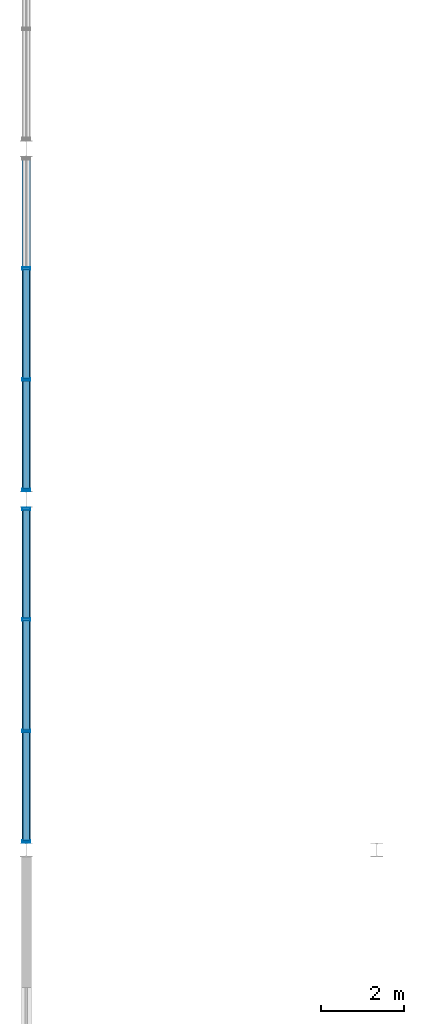
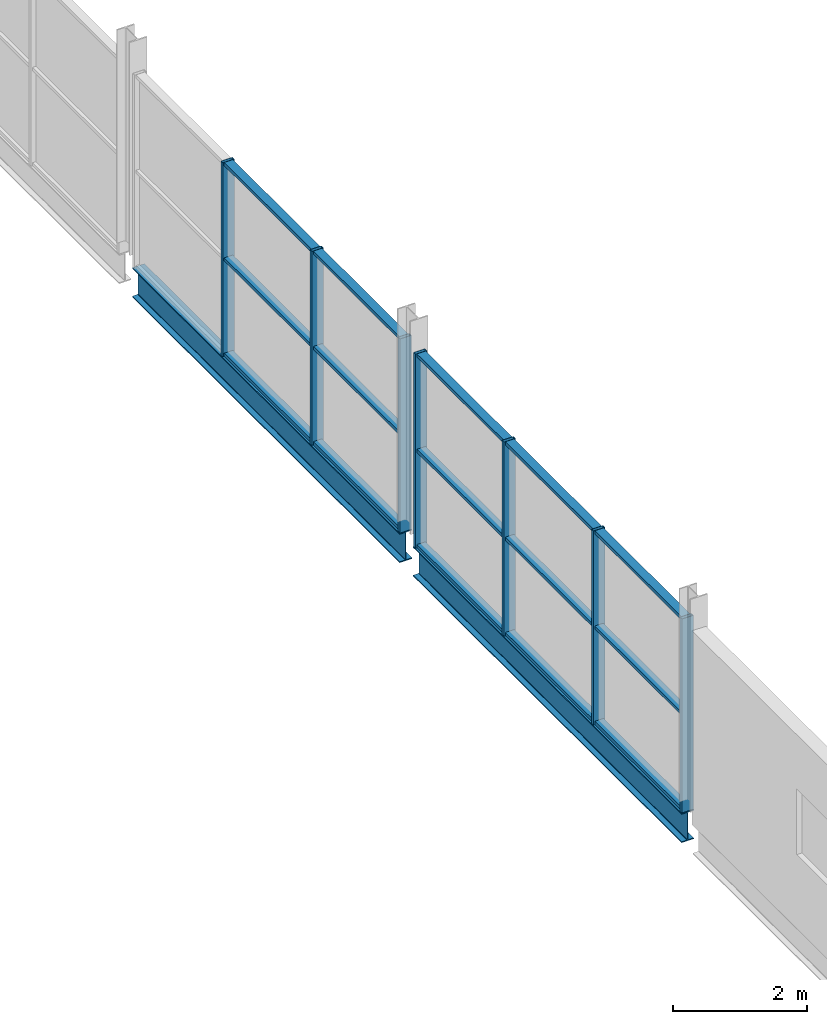
# One storey, part 10 of 43: 22 members, 2 beams, 2 elements without a shape of their own.
"""IFC4 building model written with IfcOpenShell, lengths in metres."""

import ifcopenshell
import ifcopenshell.guid

model = None  # the IFC model being written
_history = None  # IfcOwnerHistory: only IFC2X3 demands one
_inside = {}  # id of a spatial element -> (the spatial element, [elements in it])
_under = {}  # id of a project, library or spatial element -> (it, [spatial elements below it])
_declared = {}  # id of a project -> (the project, [libraries it declares])
_typed = {}  # id of a type object -> (the type object, [elements of that type])
_made_of = {}  # id of a material, layer set ... -> (it, [elements and type objects made of it])


def new_model(schema):
    """Start an empty IFC model of exactly this schema.

    Asked for "IFC4X3", IfcOpenShell would pick the latest addendum, in which some entities
    have other attributes; the version numbers below select the first issue.
    IFC2X3 requires an IfcOwnerHistory on every rooted entity: one is made here for all.
    """
    global model, _history
    if schema == "IFC4X3":
        model = ifcopenshell.file(schema_version=(4, 3, 0, 0))
    else:
        model = ifcopenshell.file(schema=schema)
    _inside.clear()
    _under.clear()
    _declared.clear()
    _typed.clear()
    _made_of.clear()
    _history = None
    if model.schema == "IFC2X3":
        org = make("IfcOrganization", Name="unknown")
        user = make(
            "IfcPersonAndOrganization",
            ThePerson=make("IfcPerson", FamilyName="unknown"),
            TheOrganization=org,
        )
        app = make(
            "IfcApplication",
            ApplicationDeveloper=org,
            Version="unknown",
            ApplicationFullName="unknown",
            ApplicationIdentifier="unknown",
        )
        _history = make(
            "IfcOwnerHistory",
            OwningUser=user,
            OwningApplication=app,
            ChangeAction="ADDED",
            CreationDate=0,
        )
    return model


def make(cls, **values):
    """One entity of the class cls with the attributes given. An attribute that is None is left unset."""
    return model.create_entity(
        cls, **{name: value for name, value in values.items() if value is not None}
    )


def rooted(cls, **values):
    """An entity with a GlobalId (a new one), such as an element, a storey or a relation."""
    return make(cls, GlobalId=ifcopenshell.guid.new(), OwnerHistory=_history, **values)


def si_unit(unit_type, name, prefix=None):
    """IfcSIUnit, for example si_unit("LENGTHUNIT", "METRE", prefix="MILLI")."""
    return make("IfcSIUnit", UnitType=unit_type, Prefix=prefix, Name=name)


def assignment(units):
    """IfcUnitAssignment: the units of a project."""
    return None if units is None else make("IfcUnitAssignment", Units=units)


def point(xyz):
    """IfcCartesianPoint."""
    return None if xyz is None else make("IfcCartesianPoint", Coordinates=xyz)


def direction(xyz):
    """IfcDirection."""
    return None if xyz is None else make("IfcDirection", DirectionRatios=xyz)


def frame(location, z_axis=None, x_axis=None):
    """IfcAxis2Placement3D, a coordinate frame: its origin and axes. An axis left out is left unset."""
    return make(
        "IfcAxis2Placement3D",
        Location=point(location),
        Axis=direction(z_axis),
        RefDirection=direction(x_axis),
    )


def frame_2d(location, x_axis=None):
    """IfcAxis2Placement2D, a coordinate frame in the plane: its origin and x axis."""
    return make(
        "IfcAxis2Placement2D", Location=point(location), RefDirection=direction(x_axis)
    )


def origin():
    """The frame at (0, 0, 0) with its axes left unset."""
    return frame((0.0, 0.0, 0.0))


def origin_2d():
    """The frame at (0, 0) in the plane with its x axis left unset."""
    return frame_2d((0.0, 0.0))


def place(relative_to, where):
    """IfcLocalPlacement: puts the frame where relative to a parent placement (None: the world)."""
    return make(
        "IfcLocalPlacement", PlacementRelTo=relative_to, RelativePlacement=where
    )


def context(
    kind, dimensions, precision=None, world=None, true_north=None, identifier=None
):
    """IfcGeometricRepresentationContext, for example the 3D "Model" context."""
    return make(
        "IfcGeometricRepresentationContext",
        ContextIdentifier=identifier,
        ContextType=kind,
        CoordinateSpaceDimension=dimensions,
        Precision=precision,
        WorldCoordinateSystem=world,
        TrueNorth=true_north,
    )


def subcontext(parent, identifier, kind, view, scale=None):
    """IfcGeometricRepresentationSubContext, for example "Body" below "Model"."""
    return make(
        "IfcGeometricRepresentationSubContext",
        ContextIdentifier=identifier,
        ContextType=kind,
        ParentContext=parent,
        TargetScale=scale,
        TargetView=view,
    )


def project(units=None, contexts=None):
    """IfcProject with its units and contexts."""
    return rooted(
        "IfcProject",
        Name="project",
        RepresentationContexts=contexts,
        UnitsInContext=assignment(units),
    )


def spatial(cls, under=None, at=None, **own):
    """A site, building, storey or space (cls), placed at a placement, below another one or the project."""
    s = rooted(cls, ObjectPlacement=at, **own)
    if under is not None:
        _under.setdefault(under.id(), (under, []))[1].append(s)
    return s


def profile(cls, at=None, kind="AREA", **sizes):
    """A parametric profile (cls). Its sizes go by their IFC names, for example OverallWidth=200.0."""
    return make(cls, ProfileType=kind, Position=at, **sizes)


def hollow_rectangle(**sizes):
    """IfcRectangleHollowProfileDef."""
    return profile("IfcRectangleHollowProfileDef", **sizes)


def i_section(**sizes):
    """IfcIShapeProfileDef."""
    return profile("IfcIShapeProfileDef", **sizes)


def extrude(swept, where, along, depth):
    """IfcExtrudedAreaSolid: the profile swept, set in the frame where, extruded along a direction by depth."""
    return make(
        "IfcExtrudedAreaSolid",
        SweptArea=swept,
        Position=where,
        ExtrudedDirection=direction(along),
        Depth=depth,
    )


def shape(context_of_items, identifier, shape_type, items):
    """IfcShapeRepresentation: the items that make up one representation, for example the "Body"."""
    return make(
        "IfcShapeRepresentation",
        ContextOfItems=context_of_items,
        RepresentationIdentifier=identifier,
        RepresentationType=shape_type,
        Items=items,
    )


def material(Name=None, Category=None):
    """IfcMaterial."""
    return make("IfcMaterial", Name=Name, Category=Category)


def material_profile(
    of_material, cross_section, Name=None, Category=None, Priority=None
):
    """IfcMaterialProfile: a cross section and its material."""
    return make(
        "IfcMaterialProfile",
        Name=Name,
        Material=of_material,
        Profile=cross_section,
        Priority=Priority,
        Category=Category,
    )


def profile_set(profiles, Name=None, composite=None):
    """IfcMaterialProfileSet."""
    return make(
        "IfcMaterialProfileSet",
        Name=Name,
        MaterialProfiles=profiles,
        CompositeProfile=composite,
    )


def made_of(thing, what):
    """Note that an element or type object is made of a material, layer set ...; save() writes the relation."""
    if what is not None:
        _made_of.setdefault(what.id(), (what, []))[1].append(thing)
    return thing


def type_object(cls, material=None, **own):
    """A type object (cls), such as IfcWallType, which elements share."""
    return made_of(rooted(cls, **own), material)


def element(
    cls,
    number,
    at=None,
    inside=None,
    cuts=None,
    type_object=None,
    material=None,
    context=None,
    identifier="Body",
    shape_type=None,
    held_by="IfcProductDefinitionShape",
    body=None,
    shapes=None,
    **own,
):
    """One element of the class cls, such as IfcWall. Its Tag is "e" and its number.

    at: its placement. inside: the storey or other place that contains it. cuts: it is an
    opening in that element (IfcRelVoidsElement). A single representation is given by context,
    identifier, shape_type and body (its items); several are given by shapes. held_by: the class
    of the entity that holds the representations. save() writes the other relations.
    """
    e = rooted(cls, Tag="e%d" % number, ObjectPlacement=at, **own)
    if body is not None:
        shapes = [shape(context, identifier, shape_type, body)]
    if shapes is not None:
        e.Representation = make(held_by, Representations=shapes)
    if inside is not None:
        _inside.setdefault(inside.id(), (inside, []))[1].append(e)
    if cuts is not None:
        rooted(
            "IfcRelVoidsElement", RelatingBuildingElement=cuts, RelatedOpeningElement=e
        )
    if type_object is not None:
        _typed.setdefault(type_object.id(), (type_object, []))[1].append(e)
    return made_of(e, material)


def aggregate(whole, parts):
    """IfcRelAggregates: a whole, such as a stair, and the parts it consists of."""
    return rooted("IfcRelAggregates", RelatingObject=whole, RelatedObjects=parts)


def save(model, path):
    """Write the relations noted so far, then the file.

    IfcRelAggregates (storeys below a building ...), IfcRelContainedInSpatialStructure (elements
    in a storey), IfcRelDefinesByType, IfcRelAssociatesMaterial and IfcRelDeclares: one each for
    every whole, place, type object, material and project.
    """
    for whole, parts in _under.values():
        aggregate(whole, parts)
    for where, things in _inside.values():
        rooted(
            "IfcRelContainedInSpatialStructure",
            RelatedElements=things,
            RelatingStructure=where,
        )
    for kind, things in _typed.values():
        rooted("IfcRelDefinesByType", RelatedObjects=things, RelatingType=kind)
    for what, things in _made_of.values():
        rooted("IfcRelAssociatesMaterial", RelatedObjects=things, RelatingMaterial=what)
    for by, libraries in _declared.values():
        rooted("IfcRelDeclares", RelatingContext=by, RelatedDefinitions=libraries)
    model.write(path)


model = new_model("IFC4")

# Units and contexts
model_context = context("Model", 3, precision=1e-05, world=origin(), true_north=direction((0.0, 1.0)))
body_context = subcontext(model_context, "Body", "Model", "MODEL_VIEW")
ifc_project = project(units=[si_unit("LENGTHUNIT", "METRE"), si_unit("AREAUNIT", "SQUARE_METRE"), si_unit("VOLUMEUNIT", "CUBIC_METRE"), si_unit("PLANEANGLEUNIT", "RADIAN"), si_unit("MASSUNIT", "GRAM", prefix="KILO"), si_unit("THERMODYNAMICTEMPERATUREUNIT", "KELVIN")], contexts=[model_context])

# Site, building, storey
site_placement = place(None, origin())
site = spatial("IfcSite", under=ifc_project, at=site_placement, CompositionType="ELEMENT")
building_placement = place(site_placement, origin())
building = spatial("IfcBuilding", under=site, at=building_placement, Name="Nduvali Passage Aquatics Centre", CompositionType="ELEMENT")
storey_placement = place(building_placement, frame((0.0, 0.0, 17.39990234375)))
storey = spatial("IfcBuildingStorey", under=building, at=storey_placement, Name="L04", CompositionType="ELEMENT", Elevation=17.39990234375)

# Curtain wall, members
ifc_material_1 = material(Name="Aluminium EN AW-6063 T6", Category="aluminium")
curtain_wall_type = type_object("IfcCurtainWallType", Name="ENV-CW-DIVE", PredefinedType="NOTDEFINED", material=ifc_material_1)
curtain_wall_1_placement = place(storey_placement, origin())
curtain_wall_1 = element("IfcCurtainWall", 1, at=curtain_wall_1_placement, inside=storey, type_object=curtain_wall_type, Name="L04 West Diving Upper Roof Clerestory CW 131", PredefinedType="NOTDEFINED")
ifc_material_profile_1 = material_profile(ifc_material_1, hollow_rectangle(XDim=0.06005859375, YDim=0.199951171875, WallThickness=0.00390625, at=origin_2d()), Name="ALU MULLION 60x200x4")
ifc_profile_set_1 = profile_set([ifc_material_profile_1], Name="Aluminium EN AW-6063 T6")
member_type_1 = type_object("IfcMemberType", Name="ENV-MEM-MUL80", PredefinedType="MULLION", material=ifc_profile_set_1)
member_1_placement = place(storey_placement, frame((0.0, 42.199951171875, -0.22998046875), z_axis=(0.0, 0.0, 1.0), x_axis=(0.0, 1.0, 0.0)))
member_1 = element("IfcMember", 2, at=member_1_placement, type_object=member_type_1, Name="West Diving Upper Roof Clerestory CW Mullion 1", PredefinedType="MULLION", context=body_context, shape_type="SweptSolid", body=[
    extrude(hollow_rectangle(XDim=0.06005859375, YDim=0.199951171875, WallThickness=0.00390625, at=origin_2d()), origin(), (0.0, 0.0, 1.0), 3.5400390625),
])
member_2_placement = place(storey_placement, frame((0.0, 44.8466796875, -0.22998046875), z_axis=(0.0, 0.0, 1.0), x_axis=(0.0, 1.0, 0.0)))
member_2 = element("IfcMember", 3, at=member_2_placement, type_object=member_type_1, Name="West Diving Upper Roof Clerestory CW Mullion 2", PredefinedType="MULLION", context=body_context, shape_type="SweptSolid", body=[
    extrude(hollow_rectangle(XDim=0.06005859375, YDim=0.199951171875, WallThickness=0.00390625, at=origin_2d()), origin(), (0.0, 0.0, 1.0), 3.5400390625),
])
member_3_placement = place(storey_placement, frame((0.0, 47.523193359375, -0.22998046875), z_axis=(0.0, 0.0, 1.0), x_axis=(0.0, 1.0, 0.0)))
member_3 = element("IfcMember", 4, at=member_3_placement, type_object=member_type_1, Name="West Diving Upper Roof Clerestory CW Mullion 3", PredefinedType="MULLION", context=body_context, shape_type="SweptSolid", body=[
    extrude(hollow_rectangle(XDim=0.06005859375, YDim=0.199951171875, WallThickness=0.00390625, at=origin_2d()), origin(), (0.0, 0.0, 1.0), 3.5400390625),
])
member_4_placement = place(storey_placement, frame((0.0, 50.169921875, -0.22998046875), z_axis=(0.0, 0.0, 1.0), x_axis=(0.0, 1.0, 0.0)))
member_4 = element("IfcMember", 5, at=member_4_placement, type_object=member_type_1, Name="West Diving Upper Roof Clerestory CW Mullion 4", PredefinedType="MULLION", context=body_context, shape_type="SweptSolid", body=[
    extrude(hollow_rectangle(XDim=0.06005859375, YDim=0.199951171875, WallThickness=0.00390625, at=origin_2d()), origin(), (0.0, 0.0, 1.0), 3.5400390625),
])

curtain_wall_2_placement = place(storey_placement, origin())
curtain_wall_2 = element("IfcCurtainWall", 6, at=curtain_wall_2_placement, inside=storey, type_object=curtain_wall_type, Name="L04 West Diving Upper Roof Clerestory CW 136", PredefinedType="NOTDEFINED")
member_5_placement = place(storey_placement, frame((0.0, 50.6298828125, -0.22998046875), z_axis=(0.0, 0.0, 1.0), x_axis=(0.0, 1.0, 0.0)))
member_5 = element("IfcMember", 7, at=member_5_placement, type_object=member_type_1, Name="West Diving Upper Roof Clerestory CW Mullion 1", PredefinedType="MULLION", context=body_context, shape_type="SweptSolid", body=[
    extrude(hollow_rectangle(XDim=0.06005859375, YDim=0.199951171875, WallThickness=0.00390625, at=origin_2d()), origin(), (0.0, 0.0, 1.0), 3.5400390625),
])
member_6_placement = place(storey_placement, frame((0.0, 53.2666015625, -0.22998046875), z_axis=(0.0, 0.0, 1.0), x_axis=(0.0, 1.0, 0.0)))
member_6 = element("IfcMember", 8, at=member_6_placement, type_object=member_type_1, Name="West Diving Upper Roof Clerestory CW Mullion 2", PredefinedType="MULLION", context=body_context, shape_type="SweptSolid", body=[
    extrude(hollow_rectangle(XDim=0.06005859375, YDim=0.199951171875, WallThickness=0.00390625, at=origin_2d()), origin(), (0.0, 0.0, 1.0), 3.5400390625),
])
member_7_placement = place(storey_placement, frame((0.0, 55.933349609375, -0.22998046875), z_axis=(0.0, 0.0, 1.0), x_axis=(0.0, 1.0, 0.0)))
member_7 = element("IfcMember", 9, at=member_7_placement, type_object=member_type_1, Name="West Diving Upper Roof Clerestory CW Mullion 3", PredefinedType="MULLION", context=body_context, shape_type="SweptSolid", body=[
    extrude(hollow_rectangle(XDim=0.06005859375, YDim=0.199951171875, WallThickness=0.00390625, at=origin_2d()), origin(), (0.0, 0.0, 1.0), 3.5400390625),
])

# Member
ifc_material_profile_2 = material_profile(ifc_material_1, hollow_rectangle(XDim=0.14990234375, YDim=0.06005859375, WallThickness=0.00390625, at=origin_2d()), Name="ALU TRANSOM 150x60x4")
ifc_profile_set_2 = profile_set([ifc_material_profile_2], Name="Aluminium EN AW-6063 T6")
member_type_2 = type_object("IfcMemberType", Name="ENV-MEM-TRN80", PredefinedType="USERDEFINED", material=ifc_profile_set_2)
member_8_placement = place(storey_placement, frame((0.0, 42.22998046875, -0.199951171875), z_axis=(0.0, 1.0, 0.0), x_axis=(-1.0, 0.0, 0.0)))
member_8 = element("IfcMember", 10, at=member_8_placement, type_object=member_type_2, Name="West Diving Upper Roof Clerestory CW Transom B1-R0", ObjectType="TRANSOM", PredefinedType="USERDEFINED", context=body_context, shape_type="SweptSolid", body=[
    extrude(hollow_rectangle(XDim=0.14990234375, YDim=0.06005859375, WallThickness=0.00390625, at=origin_2d()), origin(), (0.0, 0.0, 1.0), 2.586669921875),
])

member_9_placement = place(storey_placement, frame((0.0, 42.22998046875, 1.5400390625), z_axis=(0.0, 1.0, 0.0), x_axis=(-1.0, 0.0, 0.0)))
member_9 = element("IfcMember", 11, at=member_9_placement, type_object=member_type_2, Name="West Diving Upper Roof Clerestory CW Transom B1-R1", ObjectType="TRANSOM", PredefinedType="USERDEFINED", context=body_context, shape_type="SweptSolid", body=[
    extrude(hollow_rectangle(XDim=0.14990234375, YDim=0.06005859375, WallThickness=0.00390625, at=origin_2d()), origin(), (0.0, 0.0, 1.0), 2.586669921875),
])

member_10_placement = place(storey_placement, frame((0.0, 42.22998046875, 3.280029296875), z_axis=(0.0, 1.0, 0.0), x_axis=(-1.0, 0.0, 0.0)))
member_10 = element("IfcMember", 12, at=member_10_placement, type_object=member_type_2, Name="West Diving Upper Roof Clerestory CW Transom B1-R2", ObjectType="TRANSOM", PredefinedType="USERDEFINED", context=body_context, shape_type="SweptSolid", body=[
    extrude(hollow_rectangle(XDim=0.14990234375, YDim=0.06005859375, WallThickness=0.00390625, at=origin_2d()), origin(), (0.0, 0.0, 1.0), 2.586669921875),
])

member_11_placement = place(storey_placement, frame((0.0, 44.876708984375, -0.199951171875), z_axis=(0.0, 1.0, 0.0), x_axis=(-1.0, 0.0, 0.0)))
member_11 = element("IfcMember", 13, at=member_11_placement, type_object=member_type_2, Name="West Diving Upper Roof Clerestory CW Transom B2-R0", ObjectType="TRANSOM", PredefinedType="USERDEFINED", context=body_context, shape_type="SweptSolid", body=[
    extrude(hollow_rectangle(XDim=0.14990234375, YDim=0.06005859375, WallThickness=0.00390625, at=origin_2d()), origin(), (0.0, 0.0, 1.0), 2.61669921875),
])

member_12_placement = place(storey_placement, frame((0.0, 44.876708984375, 1.5400390625), z_axis=(0.0, 1.0, 0.0), x_axis=(-1.0, 0.0, 0.0)))
member_12 = element("IfcMember", 14, at=member_12_placement, type_object=member_type_2, Name="West Diving Upper Roof Clerestory CW Transom B2-R1", ObjectType="TRANSOM", PredefinedType="USERDEFINED", context=body_context, shape_type="SweptSolid", body=[
    extrude(hollow_rectangle(XDim=0.14990234375, YDim=0.06005859375, WallThickness=0.00390625, at=origin_2d()), origin(), (0.0, 0.0, 1.0), 2.61669921875),
])

member_13_placement = place(storey_placement, frame((0.0, 44.876708984375, 3.280029296875), z_axis=(0.0, 1.0, 0.0), x_axis=(-1.0, 0.0, 0.0)))
member_13 = element("IfcMember", 15, at=member_13_placement, type_object=member_type_2, Name="West Diving Upper Roof Clerestory CW Transom B2-R2", ObjectType="TRANSOM", PredefinedType="USERDEFINED", context=body_context, shape_type="SweptSolid", body=[
    extrude(hollow_rectangle(XDim=0.14990234375, YDim=0.06005859375, WallThickness=0.00390625, at=origin_2d()), origin(), (0.0, 0.0, 1.0), 2.61669921875),
])

member_14_placement = place(storey_placement, frame((0.0, 47.55322265625, -0.199951171875), z_axis=(0.0, 1.0, 0.0), x_axis=(-1.0, 0.0, 0.0)))
member_14 = element("IfcMember", 16, at=member_14_placement, type_object=member_type_2, Name="West Diving Upper Roof Clerestory CW Transom B3-R0", ObjectType="TRANSOM", PredefinedType="USERDEFINED", context=body_context, shape_type="SweptSolid", body=[
    extrude(hollow_rectangle(XDim=0.14990234375, YDim=0.06005859375, WallThickness=0.00390625, at=origin_2d()), origin(), (0.0, 0.0, 1.0), 2.586669921875),
])

member_15_placement = place(storey_placement, frame((0.0, 47.55322265625, 1.5400390625), z_axis=(0.0, 1.0, 0.0), x_axis=(-1.0, 0.0, 0.0)))
member_15 = element("IfcMember", 17, at=member_15_placement, type_object=member_type_2, Name="West Diving Upper Roof Clerestory CW Transom B3-R1", ObjectType="TRANSOM", PredefinedType="USERDEFINED", context=body_context, shape_type="SweptSolid", body=[
    extrude(hollow_rectangle(XDim=0.14990234375, YDim=0.06005859375, WallThickness=0.00390625, at=origin_2d()), origin(), (0.0, 0.0, 1.0), 2.586669921875),
])

member_16_placement = place(storey_placement, frame((0.0, 47.55322265625, 3.280029296875), z_axis=(0.0, 1.0, 0.0), x_axis=(-1.0, 0.0, 0.0)))
member_16 = element("IfcMember", 18, at=member_16_placement, type_object=member_type_2, Name="West Diving Upper Roof Clerestory CW Transom B3-R2", ObjectType="TRANSOM", PredefinedType="USERDEFINED", context=body_context, shape_type="SweptSolid", body=[
    extrude(hollow_rectangle(XDim=0.14990234375, YDim=0.06005859375, WallThickness=0.00390625, at=origin_2d()), origin(), (0.0, 0.0, 1.0), 2.586669921875),
])

aggregate(curtain_wall_1, [member_1, member_2, member_3, member_4, member_8, member_9, member_10, member_11, member_12, member_13, member_14, member_15, member_16])

member_17_placement = place(storey_placement, frame((0.0, 50.659912109375, -0.199951171875), z_axis=(0.0, 1.0, 0.0), x_axis=(-1.0, 0.0, 0.0)))
member_17 = element("IfcMember", 19, at=member_17_placement, type_object=member_type_2, Name="West Diving Upper Roof Clerestory CW Transom B1-R0", ObjectType="TRANSOM", PredefinedType="USERDEFINED", context=body_context, shape_type="SweptSolid", body=[
    extrude(hollow_rectangle(XDim=0.14990234375, YDim=0.06005859375, WallThickness=0.00390625, at=origin_2d()), origin(), (0.0, 0.0, 1.0), 2.576904296875),
])

member_18_placement = place(storey_placement, frame((0.0, 50.659912109375, 1.5400390625), z_axis=(0.0, 1.0, 0.0), x_axis=(-1.0, 0.0, 0.0)))
member_18 = element("IfcMember", 20, at=member_18_placement, type_object=member_type_2, Name="West Diving Upper Roof Clerestory CW Transom B1-R1", ObjectType="TRANSOM", PredefinedType="USERDEFINED", context=body_context, shape_type="SweptSolid", body=[
    extrude(hollow_rectangle(XDim=0.14990234375, YDim=0.06005859375, WallThickness=0.00390625, at=origin_2d()), origin(), (0.0, 0.0, 1.0), 2.576904296875),
])

member_19_placement = place(storey_placement, frame((0.0, 50.659912109375, 3.280029296875), z_axis=(0.0, 1.0, 0.0), x_axis=(-1.0, 0.0, 0.0)))
member_19 = element("IfcMember", 21, at=member_19_placement, type_object=member_type_2, Name="West Diving Upper Roof Clerestory CW Transom B1-R2", ObjectType="TRANSOM", PredefinedType="USERDEFINED", context=body_context, shape_type="SweptSolid", body=[
    extrude(hollow_rectangle(XDim=0.14990234375, YDim=0.06005859375, WallThickness=0.00390625, at=origin_2d()), origin(), (0.0, 0.0, 1.0), 2.576904296875),
])

member_20_placement = place(storey_placement, frame((0.0, 53.296630859375, -0.199951171875), z_axis=(0.0, 1.0, 0.0), x_axis=(-1.0, 0.0, 0.0)))
member_20 = element("IfcMember", 22, at=member_20_placement, type_object=member_type_2, Name="West Diving Upper Roof Clerestory CW Transom B2-R0", ObjectType="TRANSOM", PredefinedType="USERDEFINED", context=body_context, shape_type="SweptSolid", body=[
    extrude(hollow_rectangle(XDim=0.14990234375, YDim=0.06005859375, WallThickness=0.00390625, at=origin_2d()), origin(), (0.0, 0.0, 1.0), 2.606689453125),
])

member_21_placement = place(storey_placement, frame((0.0, 53.296630859375, 1.5400390625), z_axis=(0.0, 1.0, 0.0), x_axis=(-1.0, 0.0, 0.0)))
member_21 = element("IfcMember", 23, at=member_21_placement, type_object=member_type_2, Name="West Diving Upper Roof Clerestory CW Transom B2-R1", ObjectType="TRANSOM", PredefinedType="USERDEFINED", context=body_context, shape_type="SweptSolid", body=[
    extrude(hollow_rectangle(XDim=0.14990234375, YDim=0.06005859375, WallThickness=0.00390625, at=origin_2d()), origin(), (0.0, 0.0, 1.0), 2.606689453125),
])

member_22_placement = place(storey_placement, frame((0.0, 53.296630859375, 3.280029296875), z_axis=(0.0, 1.0, 0.0), x_axis=(-1.0, 0.0, 0.0)))
member_22 = element("IfcMember", 24, at=member_22_placement, type_object=member_type_2, Name="West Diving Upper Roof Clerestory CW Transom B2-R2", ObjectType="TRANSOM", PredefinedType="USERDEFINED", context=body_context, shape_type="SweptSolid", body=[
    extrude(hollow_rectangle(XDim=0.14990234375, YDim=0.06005859375, WallThickness=0.00390625, at=origin_2d()), origin(), (0.0, 0.0, 1.0), 2.606689453125),
])

aggregate(curtain_wall_2, [member_5, member_6, member_7, member_17, member_18, member_19, member_20, member_21, member_22])

# Beams
ifc_material_2 = material(Name="Steel S355", Category="steel")
ifc_material_profile_3 = material_profile(ifc_material_2, i_section(OverallWidth=0.210693359375, OverallDepth=0.53955078125, WebThickness=0.01171875, FlangeThickness=0.018798828125, FilletRadius=0.0126953125, at=origin_2d()), Name="UKB 533x210x109")
ifc_profile_set_3 = profile_set([ifc_material_profile_3], Name="Steel S355")
beam_type = type_object("IfcBeamType", Name="STR-BM-UKB533-EXT", PredefinedType="BEAM", material=ifc_profile_set_3)
beam_1_placement = place(storey_placement, frame((0.0, 42.169921875, -0.503662109375), z_axis=(0.0, 1.0, 0.0), x_axis=(-1.0, 0.0, 0.0)))
element("IfcBeam", 25, at=beam_1_placement, inside=storey, type_object=beam_type, Name="L04 Primary Y-Girder B6E-1354", PredefinedType="BEAM", context=body_context, shape_type="SweptSolid", body=[
    extrude(i_section(OverallWidth=0.210693359375, OverallDepth=0.53955078125, WebThickness=0.01171875, FlangeThickness=0.018798828125, FilletRadius=0.0126953125, at=origin_2d()), origin(), (0.0, 0.0, 1.0), 8.030029296875),
])
beam_2_placement = place(storey_placement, frame((0.0, 50.60009765625, -0.503662109375), z_axis=(0.0, 1.0, 0.0), x_axis=(-1.0, 0.0, 0.0)))
element("IfcBeam", 26, at=beam_2_placement, inside=storey, type_object=beam_type, Name="L04 Primary Y-Girder B6E-1355", PredefinedType="BEAM", context=body_context, shape_type="SweptSolid", body=[
    extrude(i_section(OverallWidth=0.210693359375, OverallDepth=0.53955078125, WebThickness=0.01171875, FlangeThickness=0.018798828125, FilletRadius=0.0126953125, at=origin_2d()), origin(), (0.0, 0.0, 1.0), 8.0),
])

save(model, "model.ifc")
